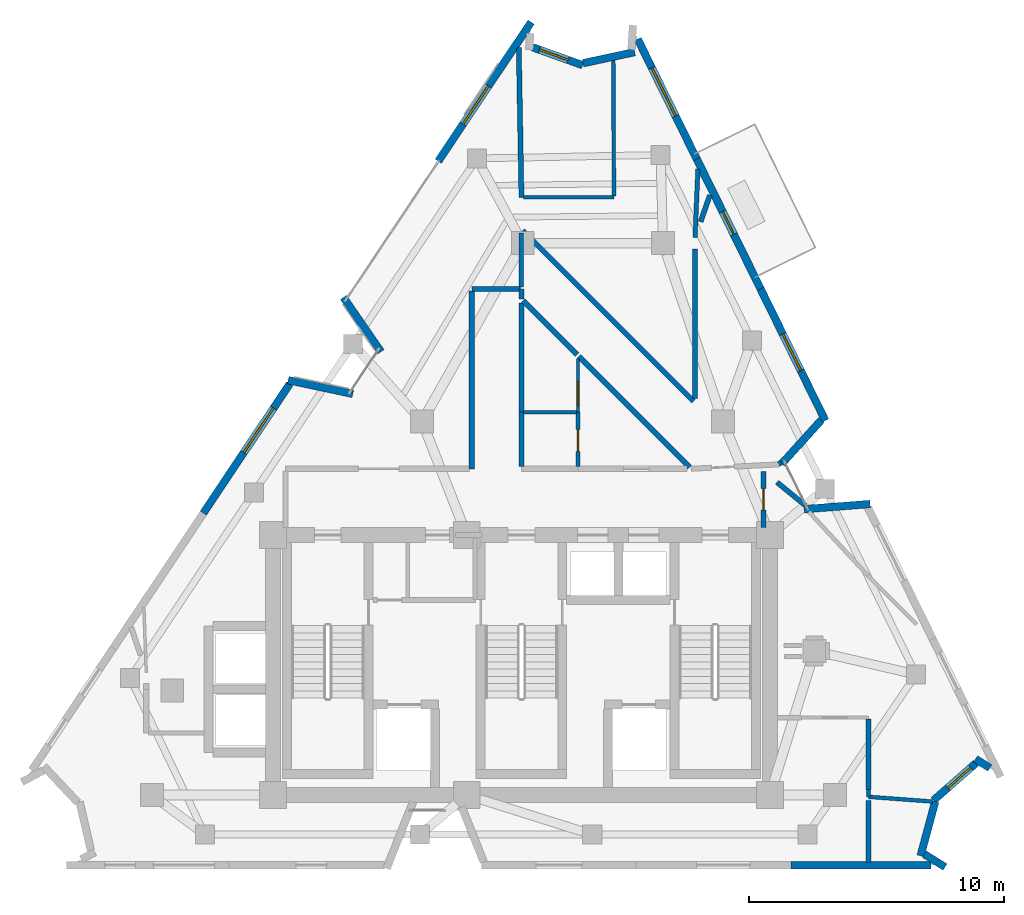
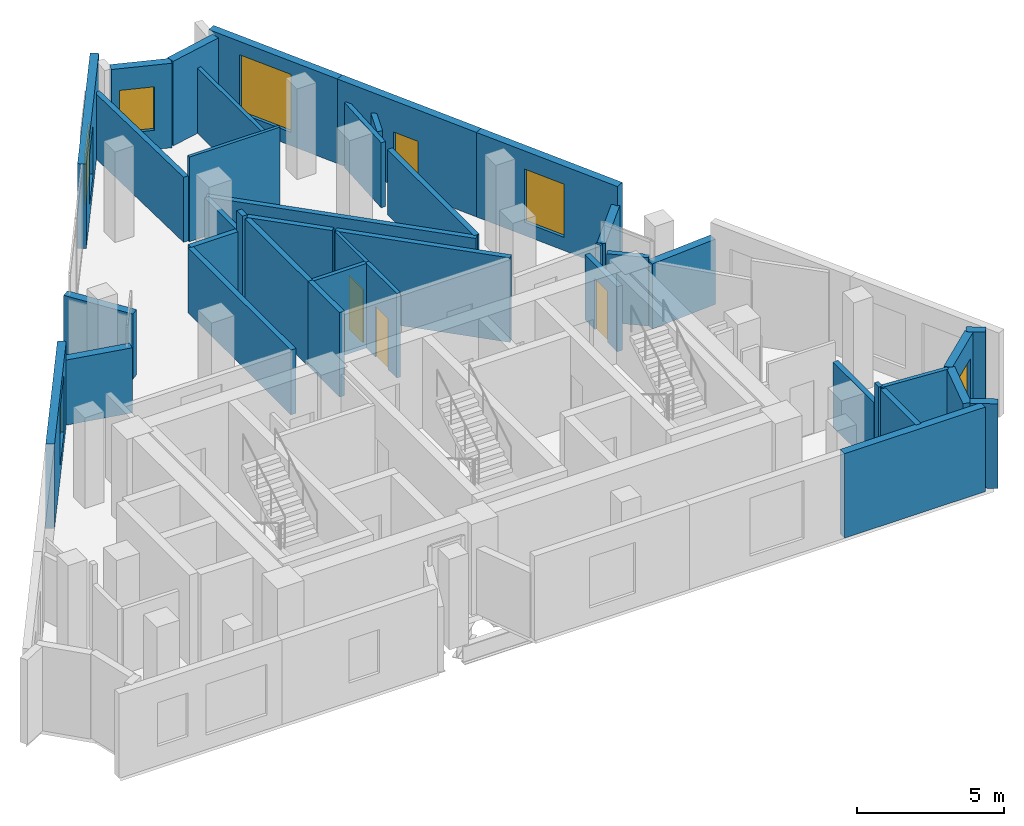
# One storey, part 6 of 8: 41 walls, 6 windows, 4 doors, 10 openings.
"""IFC4 building model written with IfcOpenShell, lengths in metres."""

from ifc_helpers import new_model, si_unit, direction, frame, frame_2d, origin, place, context, subcontext, project, spatial, rectangle, extrude, material, layer, layer_set, type_object, element, fill, save


model = new_model("IFC4")

# Units and contexts
model_context = context("Model", 3, precision=1e-05, world=origin(), true_north=direction((0.0, 1.0)))
body_context = subcontext(model_context, "Body", "Model", "MODEL_VIEW")
ifc_project = project(units=[si_unit("LENGTHUNIT", "METRE"), si_unit("AREAUNIT", "SQUARE_METRE"), si_unit("VOLUMEUNIT", "CUBIC_METRE"), si_unit("PLANEANGLEUNIT", "RADIAN"), si_unit("MASSUNIT", "GRAM", prefix="KILO")], contexts=[model_context])

# Site, building, storey
site_placement = place(None, origin())
site = spatial("IfcSite", under=ifc_project, at=site_placement, CompositionType="ELEMENT")
building_placement = place(site_placement, origin())
building = spatial("IfcBuilding", under=site, at=building_placement, Name="Almagre Mirador Tower", CompositionType="ELEMENT")
storey_placement = place(building_placement, frame((0.0, 0.0, 274.5)))
storey = spatial("IfcBuildingStorey", under=building, at=storey_placement, Name="L71", CompositionType="ELEMENT", Elevation=274.5)

# Walls
ifc_material_1 = material(Name="Precast concrete C50/60", Category="concrete")
ifc_layer_1 = layer(ifc_material_1, 0.300048828125)
ifc_layer_set_1 = layer_set([ifc_layer_1], Name="Precast concrete C50/60")
wall_type_1 = type_object("IfcWallType", Name="WAL-EXT-300", PredefinedType="SOLIDWALL", material=ifc_layer_set_1)
wall_1_placement = place(storey_placement, frame((28.147216796875, 20.828125, 0.0), z_axis=(0.0, 0.0, 1.0), x_axis=(0.978060652661, -0.20832032958, 0.0)))
element("IfcWall", 1, at=wall_1_placement, inside=storey, type_object=wall_type_1, Name="L71 expressed almagre precast frame wall 01", PredefinedType="SOLIDWALL", context=body_context, shape_type="SweptSolid", body=[
    extrude(rectangle(XDim=2.593505859375, YDim=0.300048828125, at=frame_2d((1.296875, 0.0))), origin(), (0.0, 0.0, 1.0), 2.696044921875),
])
wall_2_placement = place(storey_placement, frame((31.78662109375, 21.939697265625, 0.0), z_axis=(0.0, 0.0, 1.0), x_axis=(-0.567578976889, 0.823318957023, 0.0)))
element("IfcWall", 2, at=wall_2_placement, inside=storey, type_object=wall_type_1, Name="L71 expressed almagre precast frame wall 02", PredefinedType="SOLIDWALL", context=body_context, shape_type="SweptSolid", body=[
    extrude(rectangle(XDim=2.59375, YDim=0.300048828125, at=frame_2d((1.296875, 0.0))), origin(), (0.0, 0.0, 1.0), 2.696044921875),
])

# Wall, opening, window
wall_3_placement = place(storey_placement, frame((34.03662109375, 29.41650390625, 0.0), z_axis=(0.0, 0.0, 1.0), x_axis=(0.555189602117, 0.831723815759, 0.0)))
wall_3 = element("IfcWall", 3, at=wall_3_placement, inside=storey, type_object=wall_type_1, Name="L71 expressed almagre precast frame wall 03", PredefinedType="SOLIDWALL", context=body_context, shape_type="SweptSolid", body=[
    extrude(rectangle(XDim=6.560546875, YDim=0.300048828125, at=frame_2d((3.2802734375, 0.0))), origin(), (0.0, 0.0, 1.0), 3.5),
])
opening_1_placement = place(wall_3_placement, frame((1.75, 0.0, 0.60009765625)))
opening_1 = element("IfcOpeningElement", 4, at=opening_1_placement, cuts=wall_3, Name="Opening WN-01", PredefinedType="OPENING", context=body_context, shape_type="SweptSolid", body=[
    extrude(rectangle(XDim=1.800048828125, YDim=2.10009765625, at=frame_2d((0.89990234375, 1.050048828125))), frame((0.0, 0.159902, 0.0), z_axis=(0.0, -1.0, 0.0), x_axis=(1.0, 0.0, 0.0)), (0.0, 0.0, 1.0), 0.320049),
])
ifc_material_2 = material(Name="Dark solar-control laminated hurricane glass", Category="glass")
window_type_1 = type_object("IfcWindowType", Name="WIN-1800X2100", PartitioningType="DOUBLE_PANEL_VERTICAL", PredefinedType="WINDOW", material=ifc_material_2)
window_1_placement = place(opening_1_placement, origin())
window_1 = element("IfcWindow", 5, at=window_1_placement, inside=storey, type_object=window_type_1, Name="L71 recessed hurricane window L71-RST-H", OverallHeight=2.10009765625, OverallWidth=1.800048828125, PartitioningType="SINGLE_PANEL", PredefinedType="WINDOW", context=body_context, shape_type="SweptSolid", body=[
    extrude(rectangle(XDim=1.800048828125, YDim=2.10009765625, at=frame_2d((0.89990234375, 1.050048828125))), frame((0.0, 0.030029296875, 0.0), z_axis=(0.0, -1.0, 0.0), x_axis=(1.0, 0.0, 0.0)), (0.0, 0.0, 1.0), 0.06005859375),
])
fill(opening_1, window_1)

wall_4_placement = place(storey_placement, frame((37.73681640625, 33.88720703125, 0.0), z_axis=(0.0, 0.0, 1.0), x_axis=(0.941665242227, -0.336550994028, 0.0)))
wall_4 = element("IfcWall", 6, at=wall_4_placement, inside=storey, type_object=wall_type_1, Name="L71 expressed almagre precast frame wall 05", PredefinedType="SOLIDWALL", context=body_context, shape_type="SweptSolid", body=[
    extrude(rectangle(XDim=2.08984375, YDim=0.300048828125, at=frame_2d((1.044921875, 0.0))), origin(), (0.0, 0.0, 1.0), 3.5),
])
opening_2_placement = place(wall_4_placement, frame((0.282958984375, 0.0, 0.800048828125)))
opening_2 = element("IfcOpeningElement", 7, at=opening_2_placement, cuts=wall_4, Name="Opening WN-04", PredefinedType="OPENING", context=body_context, shape_type="SweptSolid", body=[
    extrude(rectangle(XDim=1.199951171875, YDim=1.800048828125, at=frame_2d((0.60009765625, 0.89990234375))), frame((0.0, 0.159902, 0.0), z_axis=(0.0, -1.0, 0.0), x_axis=(1.0, 0.0, 0.0)), (0.0, 0.0, 1.0), 0.320049),
])
ifc_material_3 = material(Name="Dark solar-control laminated hurricane glass", Category="glass")
window_type_2 = type_object("IfcWindowType", Name="WIN-1200X1800", PartitioningType="SINGLE_PANEL", PredefinedType="WINDOW", material=ifc_material_3)
window_2_placement = place(opening_2_placement, origin())
window_2 = element("IfcWindow", 8, at=window_2_placement, inside=storey, type_object=window_type_2, Name="L71 recessed hurricane window L71-UK-KT", OverallHeight=1.800048828125, OverallWidth=1.199951171875, PartitioningType="SINGLE_PANEL", PredefinedType="WINDOW", context=body_context, shape_type="SweptSolid", body=[
    extrude(rectangle(XDim=1.199951171875, YDim=1.800048828125, at=frame_2d((0.60009765625, 0.89990234375))), frame((0.0, 0.030029296875, 0.0), z_axis=(0.0, -1.0, 0.0), x_axis=(1.0, 0.0, 0.0)), (0.0, 0.0, 1.0), 0.06005859375),
])
fill(opening_2, window_2)

# Wall
wall_5_placement = place(storey_placement, frame((39.714599609375, 33.261474609375, 0.0), z_axis=(0.0, 0.0, 1.0), x_axis=(0.977601927603, 0.210462517201, 0.0)))
element("IfcWall", 9, at=wall_5_placement, inside=storey, type_object=wall_type_1, Name="L71 expressed almagre precast frame wall 06", PredefinedType="SOLIDWALL", context=body_context, shape_type="SweptSolid", body=[
    extrude(rectangle(XDim=2.07177734375, YDim=0.300048828125, at=frame_2d((1.035888671875, 0.0))), origin(), (0.0, 0.0, 1.0), 3.5),
])

# Wall, opening, window
wall_6_placement = place(storey_placement, frame((41.863525390625, 34.207275390625, 0.0), z_axis=(0.0, 0.0, 1.0), x_axis=(0.441293527223, -0.897362815605, 0.0)))
wall_6 = element("IfcWall", 10, at=wall_6_placement, inside=storey, type_object=wall_type_1, Name="L71 expressed almagre precast frame wall 08", PredefinedType="SOLIDWALL", context=body_context, shape_type="SweptSolid", body=[
    extrude(rectangle(XDim=5.303955078125, YDim=0.300048828125, at=frame_2d((2.65185546875, 0.0))), origin(), (0.0, 0.0, 1.0), 3.5),
])
opening_3_placement = place(wall_6_placement, frame((1.260009765625, 0.0, 0.550048828125)))
opening_3 = element("IfcOpeningElement", 11, at=opening_3_placement, cuts=wall_6, Name="Opening WN-05", PredefinedType="OPENING", context=body_context, shape_type="SweptSolid", body=[
    extrude(rectangle(XDim=2.10009765625, YDim=2.39990234375, at=frame_2d((1.050048828125, 1.199951171875))), frame((0.0, 0.159902, 0.0), z_axis=(0.0, -1.0, 0.0), x_axis=(1.0, 0.0, 0.0)), (0.0, 0.0, 1.0), 0.320049),
])
ifc_material_4 = material(Name="Dark solar-control laminated hurricane glass", Category="glass")
window_type_3 = type_object("IfcWindowType", Name="WIN-2100X2400", PartitioningType="DOUBLE_PANEL_VERTICAL", PredefinedType="WINDOW", material=ifc_material_4)
window_3_placement = place(opening_3_placement, origin())
window_3 = element("IfcWindow", 12, at=window_3_placement, inside=storey, type_object=window_type_3, Name="L71 recessed hurricane window L71-UK-BT", OverallHeight=2.39990234375, OverallWidth=2.10009765625, PartitioningType="SINGLE_PANEL", PredefinedType="WINDOW", context=body_context, shape_type="SweptSolid", body=[
    extrude(rectangle(XDim=2.10009765625, YDim=2.39990234375, at=frame_2d((1.050048828125, 1.199951171875))), frame((0.0, 0.030029296875, 0.0), z_axis=(0.0, -1.0, 0.0), x_axis=(1.0, 0.0, 0.0)), (0.0, 0.0, 1.0), 0.06005859375),
])
fill(opening_3, window_3)

# Wall, opening, door
wall_7_placement = place(storey_placement, frame((44.178466796875, 29.499755859375, 0.0), z_axis=(0.0, 0.0, 1.0), x_axis=(0.441250379224, -0.897384033084, 0.0)))
wall_7 = element("IfcWall", 13, at=wall_7_placement, inside=storey, type_object=wall_type_1, Name="L71 expressed almagre precast frame wall 09", PredefinedType="SOLIDWALL", context=body_context, shape_type="SweptSolid", body=[
    extrude(rectangle(XDim=5.67578125, YDim=0.300048828125, at=frame_2d((2.837890625, 0.0))), origin(), (0.0, 0.0, 1.0), 3.5),
])
opening_4_placement = place(wall_7_placement, frame((2.2978515625, 0.0, 0.0)))
opening_4 = element("IfcOpeningElement", 14, at=opening_4_placement, cuts=wall_7, Name="Opening BD-01", PredefinedType="OPENING", context=body_context, shape_type="SweptSolid", body=[
    extrude(rectangle(XDim=1.0, YDim=2.199951171875, at=frame_2d((0.5, 1.10009765625))), frame((0.0, 0.159902, 0.0), z_axis=(0.0, -1.0, 0.0), x_axis=(1.0, 0.0, 0.0)), (0.0, 0.0, 1.0), 0.320049),
])
ifc_material_5 = material(Name="Black anodized aluminium and laminated glass", Category="aluminium")
door_type_1 = type_object("IfcDoorType", Name="DOR-BAL-1000X2200", OperationType="NOTDEFINED", PredefinedType="DOOR", material=ifc_material_5)
door_1_placement = place(opening_4_placement, origin())
door_1 = element("IfcDoor", 15, at=door_1_placement, inside=storey, type_object=door_type_1, Name="DR-2144 L71 east balcony glazed door 1", OperationType="SINGLE_SWING_RIGHT", OverallHeight=2.199951171875, OverallWidth=1.0, PredefinedType="DOOR", context=body_context, shape_type="SweptSolid", body=[
    extrude(rectangle(XDim=1.0, YDim=2.199951171875, at=frame_2d((0.5, 1.10009765625))), frame((0.0, 0.02490234375, 0.0), z_axis=(0.0, -1.0, 0.0), x_axis=(1.0, 0.0, 0.0)), (0.0, 0.0, 1.0), 0.050048828125),
])
fill(opening_4, door_1)

# Wall, opening, window
wall_8_placement = place(storey_placement, frame((46.682861328125, 24.406494140625, 0.0), z_axis=(0.0, 0.0, 1.0), x_axis=(0.441299498192, -0.897359879254, 0.0)))
wall_8 = element("IfcWall", 16, at=wall_8_placement, inside=storey, type_object=wall_type_1, Name="L71 expressed almagre precast frame wall 10", PredefinedType="SOLIDWALL", context=body_context, shape_type="SweptSolid", body=[
    extrude(rectangle(XDim=5.755859375, YDim=0.300048828125, at=frame_2d((2.8779296875, 0.0))), origin(), (0.0, 0.0, 1.0), 3.5),
])
opening_5_placement = place(wall_8_placement, frame((1.97509765625, 0.0, 0.550048828125)))
opening_5 = element("IfcOpeningElement", 17, at=opening_5_placement, cuts=wall_8, Name="Opening WN-06", PredefinedType="OPENING", context=body_context, shape_type="SweptSolid", body=[
    extrude(rectangle(XDim=1.60009765625, YDim=2.199951171875, at=frame_2d((0.800048828125, 1.10009765625))), frame((0.0, 0.159902, 0.0), z_axis=(0.0, -1.0, 0.0), x_axis=(1.0, 0.0, 0.0)), (0.0, 0.0, 1.0), 0.320049),
])
ifc_material_6 = material(Name="Dark solar-control laminated hurricane glass", Category="glass")
window_type_4 = type_object("IfcWindowType", Name="WIN-1600X2200", PartitioningType="DOUBLE_PANEL_VERTICAL", PredefinedType="WINDOW", material=ifc_material_6)
window_4_placement = place(opening_5_placement, origin())
window_4 = element("IfcWindow", 18, at=window_4_placement, inside=storey, type_object=window_type_4, Name="L71 recessed hurricane window L71-RST-G", OverallHeight=2.199951171875, OverallWidth=1.60009765625, PartitioningType="SINGLE_PANEL", PredefinedType="WINDOW", context=body_context, shape_type="SweptSolid", body=[
    extrude(rectangle(XDim=1.60009765625, YDim=2.199951171875, at=frame_2d((0.800048828125, 1.10009765625))), frame((0.0, 0.030029296875, 0.0), z_axis=(0.0, -1.0, 0.0), x_axis=(1.0, 0.0, 0.0)), (0.0, 0.0, 1.0), 0.06005859375),
])
fill(opening_5, window_4)

# Walls
wall_9_placement = place(storey_placement, frame((49.067138671875, 19.26318359375, 0.0), z_axis=(0.0, 0.0, 1.0), x_axis=(-0.670764114694, -0.741670750697, 0.0)))
element("IfcWall", 19, at=wall_9_placement, inside=storey, type_object=wall_type_1, Name="L71 expressed almagre precast frame wall 11", PredefinedType="SOLIDWALL", context=body_context, shape_type="SweptSolid", body=[
    extrude(rectangle(XDim=2.313720703125, YDim=0.300048828125, at=frame_2d((1.15673828125, 0.0))), origin(), (0.0, 0.0, 1.0), 2.696044921875),
])
wall_10_placement = place(storey_placement, frame((48.391357421875, 15.764892578125, 0.0), z_axis=(0.0, 0.0, 1.0), x_axis=(0.996929740899, 0.078301288061, 0.0)))
element("IfcWall", 20, at=wall_10_placement, inside=storey, type_object=wall_type_1, Name="L71 expressed almagre precast frame wall 12", PredefinedType="SOLIDWALL", context=body_context, shape_type="SweptSolid", body=[
    extrude(rectangle(XDim=2.59423828125, YDim=0.300048828125, at=frame_2d((1.297119140625, 0.0))), origin(), (0.0, 0.0, 1.0), 2.696044921875),
])
wall_11_placement = place(storey_placement, frame((55.6787109375, 5.611083984375, 0.0), z_axis=(0.0, 0.0, 1.0), x_axis=(-0.848492759322, 0.529206989162, 0.0)))
element("IfcWall", 21, at=wall_11_placement, inside=storey, type_object=wall_type_1, Name="L71 expressed almagre precast frame wall 15", PredefinedType="SOLIDWALL", context=body_context, shape_type="SweptSolid", body=[
    extrude(rectangle(XDim=0.665283203125, YDim=0.300048828125, at=frame_2d((0.33251953125, 0.0))), origin(), (0.0, 0.0, 1.0), 3.5),
])

# Wall, opening, window
wall_12_placement = place(storey_placement, frame((55.13525390625, 5.80322265625, 0.0), z_axis=(0.0, 0.0, 1.0), x_axis=(-0.751744762281, -0.659454177622, 0.0)))
wall_12 = element("IfcWall", 22, at=wall_12_placement, inside=storey, type_object=wall_type_1, Name="L71 expressed almagre precast frame wall 16", PredefinedType="SOLIDWALL", context=body_context, shape_type="SweptSolid", body=[
    extrude(rectangle(XDim=2.219482421875, YDim=0.300048828125, at=frame_2d((1.10986328125, 0.0))), origin(), (0.0, 0.0, 1.0), 3.5),
])
opening_6_placement = place(wall_12_placement, frame((0.280029296875, 0.0, 0.800048828125)))
opening_6 = element("IfcOpeningElement", 23, at=opening_6_placement, cuts=wall_12, Name="Opening WN-04", PredefinedType="OPENING", context=body_context, shape_type="SweptSolid", body=[
    extrude(rectangle(XDim=1.199951171875, YDim=1.800048828125, at=frame_2d((0.60009765625, 0.89990234375))), frame((0.0, 0.159902, 0.0), z_axis=(0.0, -1.0, 0.0), x_axis=(1.0, 0.0, 0.0)), (0.0, 0.0, 1.0), 0.320049),
])
window_5_placement = place(opening_6_placement, origin())
window_5 = element("IfcWindow", 24, at=window_5_placement, inside=storey, type_object=window_type_2, Name="L71 recessed hurricane window L71-UD-KT", OverallHeight=1.800048828125, OverallWidth=1.199951171875, PartitioningType="SINGLE_PANEL", PredefinedType="WINDOW", context=body_context, shape_type="SweptSolid", body=[
    extrude(rectangle(XDim=1.199951171875, YDim=1.800048828125, at=frame_2d((0.60009765625, 0.89990234375))), frame((0.0, 0.030029296875, 0.0), z_axis=(0.0, -1.0, 0.0), x_axis=(1.0, 0.0, 0.0)), (0.0, 0.0, 1.0), 0.06005859375),
])
fill(opening_6, window_5)

# Walls
wall_13_placement = place(storey_placement, frame((53.532958984375, 4.287109375, 0.0), z_axis=(0.0, 0.0, 1.0), x_axis=(-0.259818176463, -0.965657555855, 0.0)))
element("IfcWall", 25, at=wall_13_placement, inside=storey, type_object=wall_type_1, Name="L71 expressed almagre precast frame wall 17", PredefinedType="SOLIDWALL", context=body_context, shape_type="SweptSolid", body=[
    extrude(rectangle(XDim=2.19873046875, YDim=0.300048828125, at=frame_2d((1.099365234375, 0.0))), origin(), (0.0, 0.0, 1.0), 3.5),
])
wall_14_placement = place(storey_placement, frame((53.1083984375, 2.23046875, 0.0), z_axis=(0.0, 0.0, 1.0), x_axis=(0.849031111495, -0.528342854322, 0.0)))
element("IfcWall", 26, at=wall_14_placement, inside=storey, type_object=wall_type_1, Name="L71 expressed almagre precast frame wall 18", PredefinedType="SOLIDWALL", context=body_context, shape_type="SweptSolid", body=[
    extrude(rectangle(XDim=0.95458984375, YDim=0.300048828125, at=frame_2d((0.477294921875, 0.0))), origin(), (0.0, 0.0, 1.0), 3.5),
])
wall_15_placement = place(storey_placement, frame((53.375, 1.800048828125, 0.0), z_axis=(0.0, 0.0, 1.0), x_axis=(-1.0, 0.0, 0.0)))
element("IfcWall", 27, at=wall_15_placement, inside=storey, type_object=wall_type_1, Name="L71 expressed almagre precast frame wall 19", PredefinedType="SOLIDWALL", context=body_context, shape_type="SweptSolid", body=[
    extrude(rectangle(XDim=5.507080078125, YDim=0.300048828125, at=frame_2d((2.75341796875, 0.0))), origin(), (0.0, 0.0, 1.0), 3.5),
])

# Wall, opening, window
wall_16_placement = place(storey_placement, frame((24.822265625, 15.61376953125, 0.0), z_axis=(0.0, 0.0, 1.0), x_axis=(0.55524548365, 0.831686511185, 0.0)))
wall_16 = element("IfcWall", 28, at=wall_16_placement, inside=storey, type_object=wall_type_1, Name="L71 expressed almagre precast frame wall 32", PredefinedType="SOLIDWALL", context=body_context, shape_type="SweptSolid", body=[
    extrude(rectangle(XDim=6.0947265625, YDim=0.300048828125, at=frame_2d((3.04736328125, 0.0))), origin(), (0.0, 0.0, 1.0), 3.5),
])
opening_7_placement = place(wall_16_placement, frame((2.85009765625, 0.0, 0.550048828125)))
opening_7 = element("IfcOpeningElement", 29, at=opening_7_placement, cuts=wall_16, Name="Opening WN-05", PredefinedType="OPENING", context=body_context, shape_type="SweptSolid", body=[
    extrude(rectangle(XDim=2.10009765625, YDim=2.39990234375, at=frame_2d((1.050048828125, 1.199951171875))), frame((0.0, 0.159902, 0.0), z_axis=(0.0, -1.0, 0.0), x_axis=(1.0, 0.0, 0.0)), (0.0, 0.0, 1.0), 0.320049),
])
window_6_placement = place(opening_7_placement, origin())
window_6 = element("IfcWindow", 30, at=window_6_placement, inside=storey, type_object=window_type_3, Name="L71 recessed hurricane window L71-RST-H", OverallHeight=2.39990234375, OverallWidth=2.10009765625, PartitioningType="SINGLE_PANEL", PredefinedType="WINDOW", context=body_context, shape_type="SweptSolid", body=[
    extrude(rectangle(XDim=2.10009765625, YDim=2.39990234375, at=frame_2d((1.050048828125, 1.199951171875))), frame((0.0, 0.030029296875, 0.0), z_axis=(0.0, -1.0, 0.0), x_axis=(1.0, 0.0, 0.0)), (0.0, 0.0, 1.0), 0.06005859375),
])
fill(opening_7, window_6)

# Wall, opening, door
ifc_material_7 = material(Name="Gypsum acoustic stud partition", Category="other")
ifc_layer_2 = layer(ifc_material_7, 0.125)
ifc_layer_set_2 = layer_set([ifc_layer_2], Name="Gypsum acoustic stud partition")
wall_type_2 = type_object("IfcWallType", Name="WAL-PRT-125-UTL", PredefinedType="PARTITIONING", material=ifc_layer_set_2)
wall_17_placement = place(storey_placement, frame((39.52001953125, 21.659912109375, 0.0), z_axis=(0.0, 0.0, 1.0), x_axis=(0.0, -1.0, 0.0)))
wall_17 = element("IfcWall", 31, at=wall_17_placement, inside=storey, type_object=wall_type_2, Name="L71 interior partition 041", PredefinedType="PARTITIONING", context=body_context, shape_type="SweptSolid", body=[
    extrude(rectangle(XDim=2.08984375, YDim=0.125, at=frame_2d((1.044921875, 0.0))), origin(), (0.0, 0.0, 1.0), 3.5),
])
opening_8_placement = place(wall_17_placement, frame((0.889892578125, 0.0, 0.0)))
opening_8 = element("IfcOpeningElement", 32, at=opening_8_placement, cuts=wall_17, Name="Opening UD-01", PredefinedType="OPENING", context=body_context, shape_type="SweptSolid", body=[
    extrude(rectangle(XDim=0.949951171875, YDim=2.199951171875, at=frame_2d((0.47509765625, 1.10009765625))), frame((0.0, 0.0725, 0.0), z_axis=(0.0, -1.0, 0.0), x_axis=(1.0, 0.0, 0.0)), (0.0, 0.0, 1.0), 0.145),
])
ifc_material_8 = material(Name="Solid American walnut timber", Category="wood")
door_type_2 = type_object("IfcDoorType", Name="DOR-UNR-950X2200", OperationType="NOTDEFINED", PredefinedType="DOOR", material=ifc_material_8)
door_2_placement = place(opening_8_placement, origin())
door_2 = element("IfcDoor", 33, at=door_2_placement, inside=storey, type_object=door_type_2, Name="DR-2155 L71 interior door L71-UF-ST to L71-UF-KT", OperationType="SINGLE_SWING_LEFT", OverallHeight=2.199951171875, OverallWidth=0.949951171875, PredefinedType="DOOR", context=body_context, shape_type="SweptSolid", body=[
    extrude(rectangle(XDim=0.949951171875, YDim=2.199951171875, at=frame_2d((0.47509765625, 1.10009765625))), frame((0.0, 0.02490234375, 0.0), z_axis=(0.0, -1.0, 0.0), x_axis=(1.0, 0.0, 0.0)), (0.0, 0.0, 1.0), 0.050048828125),
])
fill(opening_8, door_2)

# Walls
wall_18_placement = place(storey_placement, frame((40.929931640625, 28.0, 0.0), z_axis=(0.0, 0.0, 1.0), x_axis=(-1.0, 0.0, 0.0)))
element("IfcWall", 34, at=wall_18_placement, inside=storey, type_object=wall_type_2, Name="L71 interior partition 053", PredefinedType="PARTITIONING", context=body_context, shape_type="SweptSolid", body=[
    extrude(rectangle(XDim=3.544921875, YDim=0.125, at=frame_2d((1.7724609375, 0.0))), origin(), (0.0, 0.0, 1.0), 3.5),
])
ifc_material_9 = material(Name="Gypsum acoustic stud partition", Category="other")
ifc_layer_3 = layer(ifc_material_9, 0.14990234375)
ifc_layer_set_3 = layer_set([ifc_layer_3], Name="Gypsum acoustic stud partition")
wall_type_3 = type_object("IfcWallType", Name="WAL-PRT-150-STD", PredefinedType="PARTITIONING", material=ifc_layer_set_3)
wall_19_placement = place(storey_placement, frame((50.909912109375, 4.47998046875, 0.0), z_axis=(0.0, 0.0, 1.0), x_axis=(0.997284080905, -0.073650946855, 0.0)))
element("IfcWall", 35, at=wall_19_placement, inside=storey, type_object=wall_type_3, Name="L71 interior partition 034", PredefinedType="PARTITIONING", context=body_context, shape_type="SweptSolid", body=[
    extrude(rectangle(XDim=2.52587890625, YDim=0.14990234375, at=frame_2d((1.262939453125, 0.0))), origin(), (0.0, 0.0, 1.0), 3.5),
])

# Wall, opening, door
wall_20_placement = place(storey_placement, frame((39.52001953125, 19.570068359375, 0.0), z_axis=(0.0, 0.0, 1.0), x_axis=(0.0, -1.0, 0.0)))
wall_20 = element("IfcWall", 36, at=wall_20_placement, inside=storey, type_object=wall_type_3, Name="L71 interior partition 040", PredefinedType="PARTITIONING", context=body_context, shape_type="SweptSolid", body=[
    extrude(rectangle(XDim=2.135009765625, YDim=0.14990234375, at=frame_2d((1.0673828125, 0.0))), origin(), (0.0, 0.0, 1.0), 3.5),
])
opening_9_placement = place(wall_20_placement, frame((0.68505859375, 0.0, 0.0)))
opening_9 = element("IfcOpeningElement", 37, at=opening_9_placement, cuts=wall_20, Name="Opening UD-04", PredefinedType="OPENING", context=body_context, shape_type="SweptSolid", body=[
    extrude(rectangle(XDim=0.85009765625, YDim=2.10009765625, at=frame_2d((0.425048828125, 1.050048828125))), frame((0.0, 0.084951, 0.0), z_axis=(0.0, -1.0, 0.0), x_axis=(1.0, 0.0, 0.0)), (0.0, 0.0, 1.0), 0.169902),
])
ifc_material_10 = material(Name="Moisture-resistant oak timber", Category="wood")
door_type_3 = type_object("IfcDoorType", Name="DOR-UNR-850X2100", OperationType="NOTDEFINED", PredefinedType="DOOR", material=ifc_material_10)
door_3_placement = place(opening_9_placement, origin())
door_3 = element("IfcDoor", 38, at=door_3_placement, inside=storey, type_object=door_type_3, Name="DR-2156 L71 interior door L71-UF-ST to L71-UF-BT", OperationType="SINGLE_SWING_RIGHT", OverallHeight=2.10009765625, OverallWidth=0.85009765625, PredefinedType="DOOR", context=body_context, shape_type="SweptSolid", body=[
    extrude(rectangle(XDim=0.85009765625, YDim=2.10009765625, at=frame_2d((0.425048828125, 1.050048828125))), frame((0.0, 0.02490234375, 0.0), z_axis=(0.0, -1.0, 0.0), x_axis=(1.0, 0.0, 0.0)), (0.0, 0.0, 1.0), 0.050048828125),
])
fill(opening_9, door_3)

# Walls
wall_21_placement = place(storey_placement, frame((39.4599609375, 19.570068359375, 0.0), z_axis=(0.0, 0.0, 1.0), x_axis=(-1.0, 0.0, 0.0)))
element("IfcWall", 39, at=wall_21_placement, inside=storey, type_object=wall_type_3, Name="L71 interior partition 043", PredefinedType="PARTITIONING", context=body_context, shape_type="SweptSolid", body=[
    extrude(rectangle(XDim=2.074951171875, YDim=0.14990234375, at=frame_2d((1.03759765625, 0.0))), origin(), (0.0, 0.0, 1.0), 3.5),
])
wall_22_placement = place(storey_placement, frame((40.904052734375, 33.4189453125, 0.0), z_axis=(0.0, 0.0, 1.0), x_axis=(0.00477245599, -0.999988611767, 0.0)))
element("IfcWall", 40, at=wall_22_placement, inside=storey, type_object=wall_type_3, Name="L71 interior partition 054", PredefinedType="PARTITIONING", context=body_context, shape_type="SweptSolid", body=[
    extrude(rectangle(XDim=5.371337890625, YDim=0.14990234375, at=frame_2d((2.685546875, 0.0))), origin(), (0.0, 0.0, 1.0), 2.69091796875),
])
wall_23_placement = place(storey_placement, frame((50.909912109375, 4.77001953125, 0.0), z_axis=(0.0, 0.0, 1.0), x_axis=(0.0, -1.0, 0.0)))
element("IfcWall", 41, at=wall_23_placement, inside=storey, type_object=wall_type_3, Name="L71 interior partition 066", PredefinedType="PARTITIONING", context=body_context, shape_type="SweptSolid", body=[
    extrude(rectangle(XDim=0.2900390625, YDim=0.14990234375, at=frame_2d((0.14501953125, 0.0))), origin(), (0.0, 0.0, 1.0), 3.5),
])
ifc_material_11 = material(Name="Gypsum acoustic stud partition", Category="other")
ifc_layer_4 = layer(ifc_material_11, 0.175048828125)
ifc_layer_set_4 = layer_set([ifc_layer_4], Name="Gypsum acoustic stud partition")
wall_type_4 = type_object("IfcWallType", Name="WAL-PRT-175-AC", PredefinedType="PARTITIONING", material=ifc_layer_set_4)
wall_24_placement = place(storey_placement, frame((37.300048828125, 24.485107421875, 0.0), z_axis=(0.0, 0.0, 1.0), x_axis=(0.0, 1.0, 0.0)))
element("IfcWall", 42, at=wall_24_placement, inside=storey, type_object=wall_type_4, Name="L71 interior partition 048", PredefinedType="PARTITIONING", context=body_context, shape_type="SweptSolid", body=[
    extrude(rectangle(XDim=2.114990234375, YDim=0.175048828125, at=frame_2d((1.0576171875, 0.0))), origin(), (0.0, 0.0, 1.0), 2.68505859375),
])
wall_25_placement = place(storey_placement, frame((44.110107421875, 26.419921875, 0.0), z_axis=(0.0, 0.0, 1.0), x_axis=(0.041875600883, 0.999122832314, 0.0)))
element("IfcWall", 43, at=wall_25_placement, inside=storey, type_object=wall_type_4, Name="L71 interior partition 060", PredefinedType="PARTITIONING", context=body_context, shape_type="SweptSolid", body=[
    extrude(rectangle(XDim=2.693603515625, YDim=0.175048828125, at=frame_2d((1.3466796875, 0.0))), origin(), (0.0, 0.0, 1.0), 2.69091796875),
])

# Wall, opening, door
ifc_material_12 = material(Name="Gypsum acoustic stud partition", Category="other")
ifc_layer_5 = layer(ifc_material_12, 0.199951171875)
ifc_layer_set_5 = layer_set([ifc_layer_5], Name="Gypsum acoustic stud partition")
wall_type_5 = type_object("IfcWallType", Name="WAL-PRT-200-EI60", PredefinedType="PARTITIONING", material=ifc_layer_set_5)
wall_26_placement = place(storey_placement, frame((46.800048828125, 15.050048828125, 0.0), z_axis=(0.0, 0.0, 1.0), x_axis=(0.0, 1.0, 0.0)))
wall_26 = element("IfcWall", 44, at=wall_26_placement, inside=storey, type_object=wall_type_5, Name="L71 interior partition 001", PredefinedType="PARTITIONING", context=body_context, shape_type="SweptSolid", body=[
    extrude(rectangle(XDim=2.199951171875, YDim=0.199951171875, at=frame_2d((1.10009765625, 0.0))), origin(), (0.0, 0.0, 1.0), 2.68505859375),
])
opening_10_placement = place(wall_26_placement, frame((0.675048828125, 0.0, 0.0)))
opening_10 = element("IfcOpeningElement", 45, at=opening_10_placement, cuts=wall_26, Name="Opening UD-04", PredefinedType="OPENING", context=body_context, shape_type="SweptSolid", body=[
    extrude(rectangle(XDim=0.85009765625, YDim=2.10009765625, at=frame_2d((0.425048828125, 1.050048828125))), frame((0.0, 0.110098, 0.0), z_axis=(0.0, -1.0, 0.0), x_axis=(1.0, 0.0, 0.0)), (0.0, 0.0, 1.0), 0.219951),
])
door_4_placement = place(opening_10_placement, origin())
door_4 = element("IfcDoor", 46, at=door_4_placement, inside=storey, type_object=door_type_3, Name="DR-2157 L71 interior door L71-RCOR to L71-RWS-3", OperationType="SINGLE_SWING_RIGHT", OverallHeight=2.10009765625, OverallWidth=0.85009765625, PredefinedType="DOOR", context=body_context, shape_type="SweptSolid", body=[
    extrude(rectangle(XDim=0.85009765625, YDim=2.10009765625, at=frame_2d((0.425048828125, 1.050048828125))), frame((0.0, 0.02490234375, 0.0), z_axis=(0.0, -1.0, 0.0), x_axis=(1.0, 0.0, 0.0)), (0.0, 0.0, 1.0), 0.050048828125),
])
fill(opening_10, door_4)

# Walls
wall_27_placement = place(storey_placement, frame((37.300048828125, 17.43505859375, 0.0), z_axis=(0.0, 0.0, 1.0), x_axis=(0.0, 1.0, 0.0)))
element("IfcWall", 47, at=wall_27_placement, inside=storey, type_object=wall_type_5, Name="L71 interior partition 005", PredefinedType="PARTITIONING", context=body_context, shape_type="SweptSolid", body=[
    extrude(rectangle(XDim=2.135009765625, YDim=0.199951171875, at=frame_2d((1.0673828125, 0.0))), origin(), (0.0, 0.0, 1.0), 3.5),
])
wall_28_placement = place(storey_placement, frame((37.300048828125, 19.570068359375, 0.0), z_axis=(0.0, 0.0, 1.0), x_axis=(0.0, 1.0, 0.0)))
element("IfcWall", 48, at=wall_28_placement, inside=storey, type_object=wall_type_5, Name="L71 interior partition 006", PredefinedType="PARTITIONING", context=body_context, shape_type="SweptSolid", body=[
    extrude(rectangle(XDim=4.27490234375, YDim=0.199951171875, at=frame_2d((2.137451171875, 0.0))), origin(), (0.0, 0.0, 1.0), 3.5),
])
wall_29_placement = place(storey_placement, frame((37.2548828125, 24.39990234375, 0.0), z_axis=(0.0, 0.0, 1.0), x_axis=(-1.0, 0.0, 0.0)))
element("IfcWall", 49, at=wall_29_placement, inside=storey, type_object=wall_type_5, Name="L71 interior partition 007", PredefinedType="PARTITIONING", context=body_context, shape_type="SweptSolid", body=[
    extrude(rectangle(XDim=1.90478515625, YDim=0.199951171875, at=frame_2d((0.952392578125, 0.0))), origin(), (0.0, 0.0, 1.0), 2.68505859375),
])
wall_30_placement = place(storey_placement, frame((35.35009765625, 24.31494140625, 0.0), z_axis=(0.0, 0.0, 1.0), x_axis=(0.0, -1.0, 0.0)))
element("IfcWall", 50, at=wall_30_placement, inside=storey, type_object=wall_type_5, Name="L71 interior partition 008", PredefinedType="PARTITIONING", context=body_context, shape_type="SweptSolid", body=[
    extrude(rectangle(XDim=6.96484375, YDim=0.199951171875, at=frame_2d((3.482421875, 0.0))), origin(), (0.0, 0.0, 1.0), 2.68505859375),
])
wall_31_placement = place(storey_placement, frame((37.300048828125, 24.010009765625, 0.0), z_axis=(0.0, 0.0, 1.0), x_axis=(0.0, 1.0, 0.0)))
element("IfcWall", 51, at=wall_31_placement, inside=storey, type_object=wall_type_5, Name="L71 interior partition 011", PredefinedType="PARTITIONING", context=body_context, shape_type="SweptSolid", body=[
    extrude(rectangle(XDim=0.389892578125, YDim=0.199951171875, at=frame_2d((0.19482421875, 0.0))), origin(), (0.0, 0.0, 1.0), 3.5),
])
wall_32_placement = place(storey_placement, frame((48.445068359375, 15.90380859375, 0.0), z_axis=(0.0, 0.0, 1.0), x_axis=(-0.773866992192, 0.633348149437, 0.0)))
element("IfcWall", 52, at=wall_32_placement, inside=storey, type_object=wall_type_5, Name="L71 interior partition 028", PredefinedType="PARTITIONING", context=body_context, shape_type="SweptSolid", body=[
    extrude(rectangle(XDim=1.445556640625, YDim=0.199951171875, at=frame_2d((0.72265625, 0.0))), origin(), (0.0, 0.0, 1.0), 2.8349609375),
])
wall_33_placement = place(storey_placement, frame((50.909912109375, 4.77001953125, 0.0), z_axis=(0.0, 0.0, 1.0), x_axis=(0.0, 1.0, 0.0)))
element("IfcWall", 53, at=wall_33_placement, inside=storey, type_object=wall_type_5, Name="L71 interior partition 030", PredefinedType="PARTITIONING", context=body_context, shape_type="SweptSolid", body=[
    extrude(rectangle(XDim=2.7724609375, YDim=0.199951171875, at=frame_2d((1.38623046875, 0.0))), origin(), (0.0, 0.0, 1.0), 2.69091796875),
])
wall_34_placement = place(storey_placement, frame((50.909912109375, 1.89990234375, 0.0), z_axis=(0.0, 0.0, 1.0), x_axis=(0.0, 1.0, 0.0)))
element("IfcWall", 54, at=wall_34_placement, inside=storey, type_object=wall_type_5, Name="L71 interior partition 031", PredefinedType="PARTITIONING", context=body_context, shape_type="SweptSolid", body=[
    extrude(rectangle(XDim=2.43017578125, YDim=0.199951171875, at=frame_2d((1.215087890625, 0.0))), origin(), (0.0, 0.0, 1.0), 3.5),
])
wall_35_placement = place(storey_placement, frame((43.89990234375, 17.41015625, 0.0), z_axis=(0.0, 0.0, 1.0), x_axis=(-0.707106781187, 0.707106781187, 0.0)))
element("IfcWall", 55, at=wall_35_placement, inside=storey, type_object=wall_type_5, Name="L71 interior partition 042", PredefinedType="PARTITIONING", context=body_context, shape_type="SweptSolid", body=[
    extrude(rectangle(XDim=6.146484375, YDim=0.199951171875, at=frame_2d((3.0732421875, 0.0))), origin(), (0.0, 0.0, 1.0), 3.5),
])
wall_36_placement = place(storey_placement, frame((39.486328125, 21.823486328125, 0.0), z_axis=(0.0, 0.0, 1.0), x_axis=(-0.707066186027, 0.707147374015, 0.0)))
element("IfcWall", 56, at=wall_36_placement, inside=storey, type_object=wall_type_5, Name="L71 interior partition 044", PredefinedType="PARTITIONING", context=body_context, shape_type="SweptSolid", body=[
    extrude(rectangle(XDim=3.007080078125, YDim=0.199951171875, at=frame_2d((1.50341796875, 0.0))), origin(), (0.0, 0.0, 1.0), 3.5),
])
wall_37_placement = place(storey_placement, frame((44.110107421875, 25.97998046875, 0.0), z_axis=(0.0, 0.0, 1.0), x_axis=(0.0, -1.0, 0.0)))
element("IfcWall", 57, at=wall_37_placement, inside=storey, type_object=wall_type_5, Name="L71 interior partition 046", PredefinedType="PARTITIONING", context=body_context, shape_type="SweptSolid", body=[
    extrude(rectangle(XDim=5.8798828125, YDim=0.199951171875, at=frame_2d((2.93994140625, 0.0))), origin(), (0.0, 0.0, 1.0), 2.68505859375),
])
wall_38_placement = place(storey_placement, frame((44.691650390625, 28.08203125, 0.0), z_axis=(0.0, 0.0, 1.0), x_axis=(-0.330320879135, -0.943868696805, 0.0)))
element("IfcWall", 58, at=wall_38_placement, inside=storey, type_object=wall_type_5, Name="L71 interior partition 047", PredefinedType="PARTITIONING", context=body_context, shape_type="SweptSolid", body=[
    extrude(rectangle(XDim=1.104248046875, YDim=0.199951171875, at=frame_2d((0.55224609375, 0.0))), origin(), (0.0, 0.0, 1.0), 2.69091796875),
])
wall_39_placement = place(storey_placement, frame((37.300048828125, 28.0, 0.0), z_axis=(0.0, 0.0, 1.0), x_axis=(-0.017721368952, 0.999842964211, 0.0)))
element("IfcWall", 59, at=wall_39_placement, inside=storey, type_object=wall_type_5, Name="L71 interior partition 050", PredefinedType="PARTITIONING", context=body_context, shape_type="SweptSolid", body=[
    extrude(rectangle(XDim=5.868896484375, YDim=0.199951171875, at=frame_2d((2.9345703125, 0.0))), origin(), (0.0, 0.0, 1.0), 2.69091796875),
])
wall_40_placement = place(storey_placement, frame((44.0498046875, 20.0, 0.0), z_axis=(0.0, 0.0, 1.0), x_axis=(-0.707093895296, 0.707119666842, 0.0)))
element("IfcWall", 60, at=wall_40_placement, inside=storey, type_object=wall_type_5, Name="L71 interior partition 051", PredefinedType="PARTITIONING", context=body_context, shape_type="SweptSolid", body=[
    extrude(rectangle(XDim=9.47314453125, YDim=0.199951171875, at=frame_2d((4.736572265625, 0.0))), origin(), (0.0, 0.0, 1.0), 2.68505859375),
])
wall_41_placement = place(storey_placement, frame((47.501953125, 17.60400390625, 0.0), z_axis=(0.0, 0.0, 1.0), x_axis=(-0.862812312463, -0.505524394527, 0.0)))
element("IfcWall", 61, at=wall_41_placement, inside=storey, type_object=wall_type_5, Name="L71 interior partition 056", PredefinedType="PARTITIONING", context=body_context, shape_type="SweptSolid", body=[
    extrude(rectangle(XDim=0.12841796875, YDim=0.199951171875, at=frame_2d((0.064208984375, 0.0))), origin(), (0.0, 0.0, 1.0), 2.68505859375),
])

save(model, "model.ifc")
